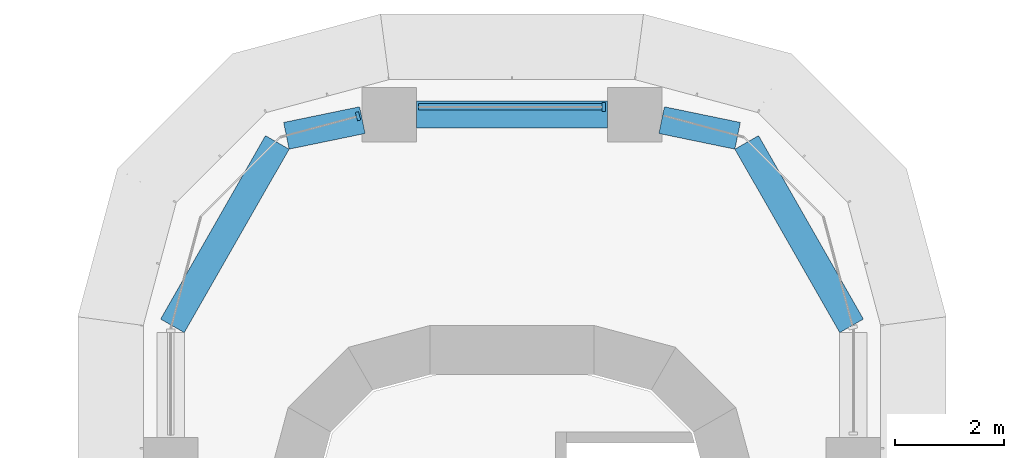
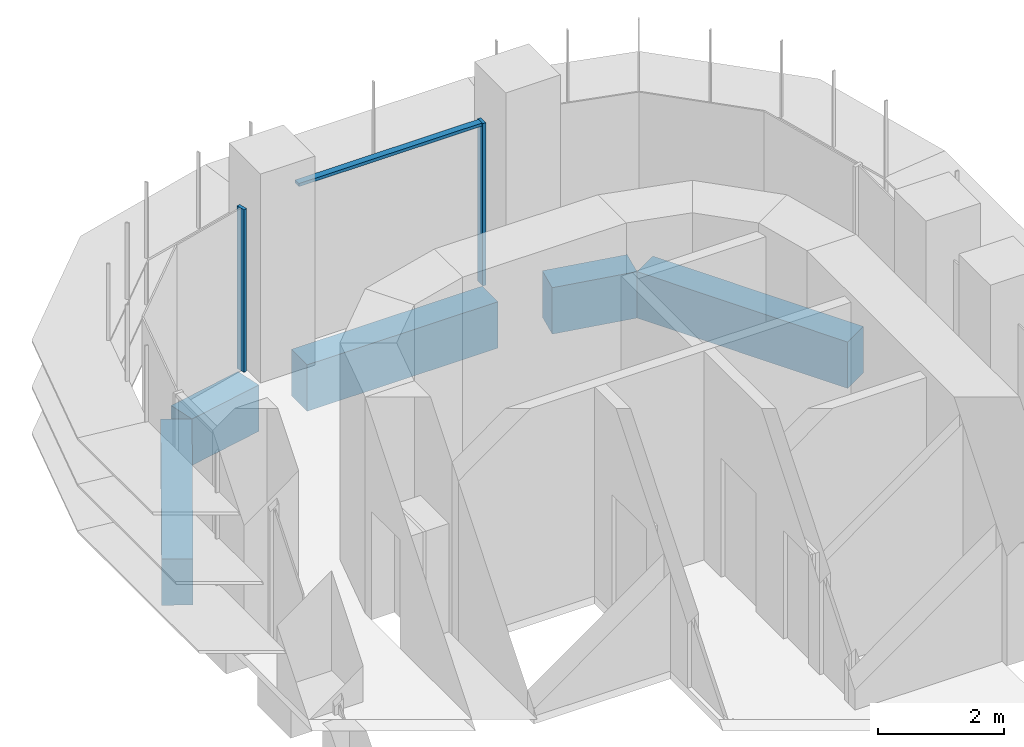
# One storey, part 12 of 23: 5 beams, 3 members, 2 elements without a shape of their own.
"""IFC4 building model written with IfcOpenShell, lengths in metres."""

from ifc_helpers import new_model, si_unit, direction, frame, origin, origin_2d, place, context, subcontext, project, spatial, polyline, rectangle, outline, extrude, source, transform, mapped, material, material_profile, profile_set, type_object, element, aggregate, save


model = new_model("IFC4")

# Units and contexts
model_context = context("Model", 3, precision=1e-05, world=origin(), true_north=direction((0.0, 1.0)))
body_context = subcontext(model_context, "Body", "Model", "MODEL_VIEW")
ifc_project = project(units=[si_unit("LENGTHUNIT", "METRE"), si_unit("AREAUNIT", "SQUARE_METRE"), si_unit("VOLUMEUNIT", "CUBIC_METRE"), si_unit("PLANEANGLEUNIT", "RADIAN"), si_unit("MASSUNIT", "GRAM", prefix="KILO")], contexts=[model_context])

# Site, building, storey
site_placement = place(None, origin())
site = spatial("IfcSite", under=ifc_project, at=site_placement, CompositionType="ELEMENT")
building_placement = place(site_placement, origin())
building = spatial("IfcBuilding", under=site, at=building_placement, Name="Zarbagh Exchange Tower", CompositionType="ELEMENT")
storey_placement = place(building_placement, frame((0.0, 0.0, 52.199951171875)))
storey = spatial("IfcBuildingStorey", under=building, at=storey_placement, Name="L11", CompositionType="ELEMENT", Elevation=52.199951171875)

# Beams
ifc_material_1 = material(Name="Concrete C60/75", Category="concrete")
ifc_material_profile = material_profile(ifc_material_1, rectangle(XDim=0.5, YDim=0.89990234375, at=origin_2d()), Name="RC spandrel beam 500 x 900 C60/75")
ifc_profile_set = profile_set([ifc_material_profile], Name="Concrete C60/75")
beam_type = type_object("IfcBeamType", Name="RC spandrel beam 500 x 900 C60/75", PredefinedType="SPANDREL", material=ifc_profile_set)
beam_1_placement = place(storey_placement, frame((-6.217041015625, 29.24169921875, -0.599853515625), z_axis=(0.496220481126, 0.868196541177, 0.0), x_axis=(-0.868196541177, 0.496220481126, 0.0)))
element("IfcBeam", 1, at=beam_1_placement, inside=storey, type_object=beam_type, Name="RC spandrel beam", PredefinedType="SPANDREL", context=body_context, shape_type="SweptSolid", body=[
    extrude(rectangle(XDim=0.5, YDim=0.89990234375, at=origin_2d()), origin(), (0.0, 0.0, 1.0), 3.869140625),
])
beam_2_placement = place(storey_placement, frame((-4.130615234375, 32.7216796875, -0.599853515625), z_axis=(0.979352054934, 0.202162193541, 0.0), x_axis=(-0.202162193541, 0.979352054934, 0.0)))
element("IfcBeam", 2, at=beam_2_placement, inside=storey, type_object=beam_type, Name="RC spandrel beam", PredefinedType="SPANDREL", context=body_context, shape_type="SweptSolid", body=[
    extrude(rectangle(XDim=0.5, YDim=0.89990234375, at=origin_2d()), origin(), (0.0, 0.0, 1.0), 1.420166015625),
])
beam_3_placement = place(storey_placement, frame((-1.75, 33.110107421875, -0.599853515625), z_axis=(1.0, 0.0, 0.0), x_axis=(0.0, 1.0, 0.0)))
element("IfcBeam", 3, at=beam_3_placement, inside=storey, type_object=beam_type, Name="RC spandrel beam", PredefinedType="SPANDREL", context=body_context, shape_type="SweptSolid", body=[
    extrude(rectangle(XDim=0.5, YDim=0.89990234375, at=origin_2d()), origin(), (0.0, 0.0, 1.0), 3.5),
])
beam_4_placement = place(storey_placement, frame((2.73974609375, 33.0087890625, -0.599853515625), z_axis=(0.979352054934, -0.202162193541, 0.0), x_axis=(0.202162193541, 0.979352054934, 0.0)))
element("IfcBeam", 4, at=beam_4_placement, inside=storey, type_object=beam_type, Name="RC spandrel beam", PredefinedType="SPANDREL", context=body_context, shape_type="SweptSolid", body=[
    extrude(rectangle(XDim=0.5, YDim=0.89990234375, at=origin_2d()), origin(), (0.0, 0.0, 1.0), 1.420166015625),
])
beam_5_placement = place(storey_placement, frame((4.297119140625, 32.600830078125, -0.599853515625), z_axis=(0.496220481126, -0.868196541177, 0.0), x_axis=(0.868196541177, 0.496220481126, 0.0)))
element("IfcBeam", 5, at=beam_5_placement, inside=storey, type_object=beam_type, Name="RC spandrel beam", PredefinedType="SPANDREL", context=body_context, shape_type="SweptSolid", body=[
    extrude(rectangle(XDim=0.5, YDim=0.89990234375, at=origin_2d()), origin(), (0.0, 0.0, 1.0), 3.869140625),
])

# Curtain wall, member
ifc_material_2 = material(Name="Anodised aluminium frame and glazing", Category="aluminium")
curtain_wall_type = type_object("IfcCurtainWallType", Name="CWA Ribbon glazing, lower zones", PredefinedType="NOTDEFINED", material=ifc_material_2)
curtain_wall_1_placement = place(storey_placement, origin())
curtain_wall_1 = element("IfcCurtainWall", 6, at=curtain_wall_1_placement, inside=storey, type_object=curtain_wall_type, Name="CWA24 curtain wall", PredefinedType="NOTDEFINED")
ifc_material_3 = material(Name="Anodised aluminium frame", Category="aluminium")
member_type_1 = type_object("IfcMemberType", Name="MUA Mullion, anodised aluminium frame", PredefinedType="MULLION", material=ifc_material_3)
shared_shape_1 = source(origin(), body_context, "Body", "SweptSolid", [
    extrude(outline(polyline([(0.0, -0.080078125), (0.06005859375, -0.080078125), (0.06005859375, 0.080078125), (0.0, 0.080078125), (0.0, -0.080078125)])), origin(), (0.0, 0.0, 1.0), 3.14990234375),
])
placement = place(storey_placement, origin())
member_1 = element("IfcMember", 7, at=placement, type_object=member_type_1, Name="CWA24 mullion 1.1", PredefinedType="MULLION", context=body_context, shape_type="MappedRepresentation", body=[
    mapped(shared_shape_1, transform((1.7099609375, 33.25, 0.0), x_axis=(-1.0, 0.0, 0.0), y_axis=(0.0, -1.0, 0.0), z_axis=(0.0, 0.0, 1.0))),
])

curtain_wall_2_placement = place(storey_placement, origin())
curtain_wall_2 = element("IfcCurtainWall", 8, at=curtain_wall_2_placement, inside=storey, type_object=curtain_wall_type, Name="CWA25 curtain wall", PredefinedType="NOTDEFINED")
member_2 = element("IfcMember", 9, at=placement, type_object=member_type_1, Name="CWA25 mullion 1.1", PredefinedType="MULLION", context=body_context, shape_type="MappedRepresentation", body=[
    mapped(shared_shape_1, transform((-2.7900390625, 33.087646484375, 0.0), x_axis=(-0.965924289636, -0.258824779902, 0.0), y_axis=(0.258824779902, -0.965924289636, 0.0), z_axis=(0.0, 0.0, 1.0))),
])
aggregate(curtain_wall_2, [member_2])

# Member
member_type_2 = type_object("IfcMemberType", Name="TRA Transom, anodised aluminium frame", PredefinedType="USERDEFINED", material=ifc_material_3)
shared_shape_2 = source(origin(), body_context, "Body", "SweptSolid", [
    extrude(outline(polyline([(-0.06005859375, -0.06005859375), (0.0, -0.06005859375), (0.0, 0.06005859375), (-0.06005859375, 0.06005859375), (-0.06005859375, -0.06005859375)])), origin(), (0.0, 0.0, 1.0), 3.360107421875),
])
member_3 = element("IfcMember", 10, at=placement, type_object=member_type_2, Name="CWA24 transom 1.1", ObjectType="TRANSOM", PredefinedType="USERDEFINED", context=body_context, shape_type="MappedRepresentation", body=[
    mapped(shared_shape_2, transform((1.64990234375, 33.25, 3.150146484375), x_axis=(0.0, 0.0, 1.0), y_axis=(0.0, 1.0, 0.0), z_axis=(-1.0, 0.0, 0.0))),
])

aggregate(curtain_wall_1, [member_1, member_3])

save(model, "model.ifc")
